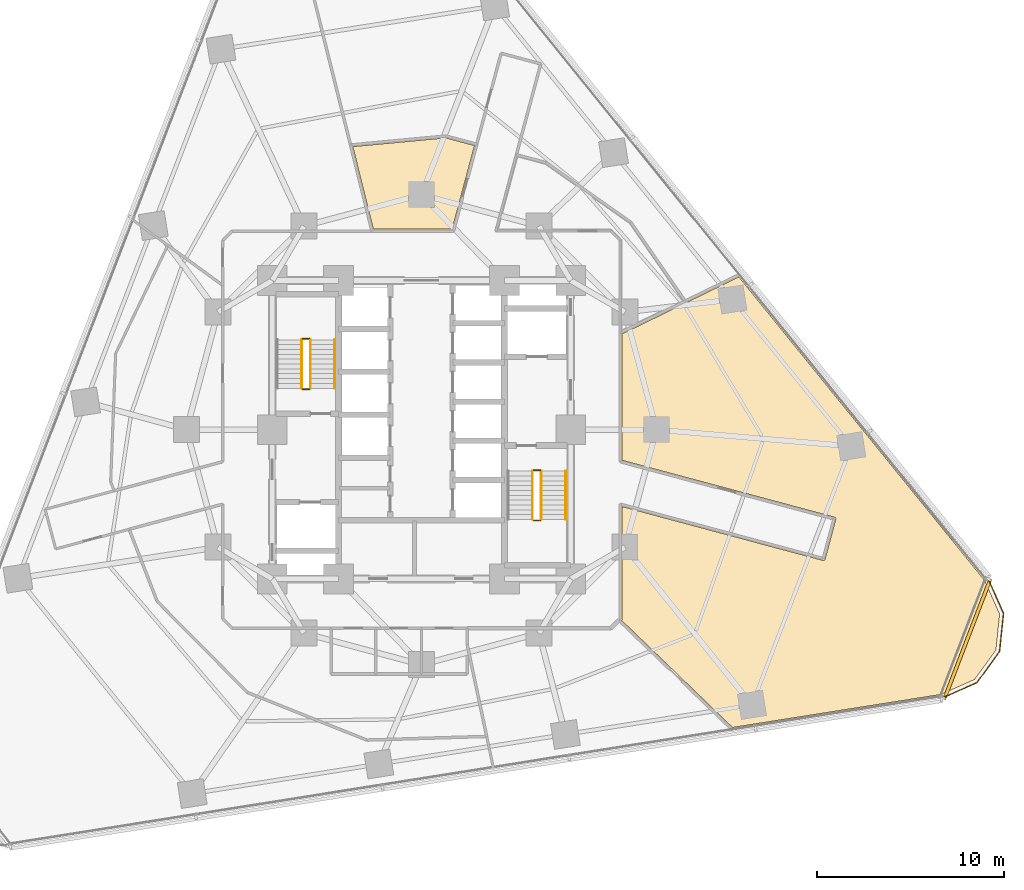
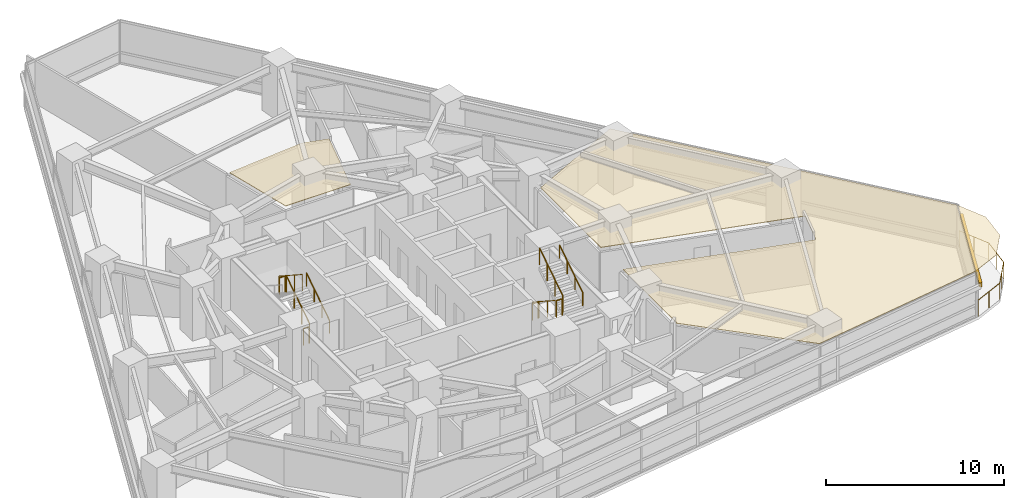
# One storey, part 13 of 14: 11 railings, 2 coverings, 1 shading device.
"""IFC4 building model written with IfcOpenShell, lengths in metres."""

from ifc_helpers import new_model, si_unit, direction, frame, origin, origin_2d, place, context, subcontext, project, spatial, polyline, rectangle, circle, outline, extrude, material, layer, layer_set, type_object, element, save


model = new_model("IFC4")

# Units and contexts
model_context = context("Model", 3, precision=1e-05, world=origin(), true_north=direction((0.0, 1.0)))
body_context = subcontext(model_context, "Body", "Model", "MODEL_VIEW")
ifc_project = project(units=[si_unit("LENGTHUNIT", "METRE"), si_unit("AREAUNIT", "SQUARE_METRE"), si_unit("VOLUMEUNIT", "CUBIC_METRE"), si_unit("PLANEANGLEUNIT", "RADIAN"), si_unit("MASSUNIT", "GRAM", prefix="KILO")], contexts=[model_context])

# Site, building, storey
site_placement = place(None, origin())
site = spatial("IfcSite", under=ifc_project, at=site_placement, CompositionType="ELEMENT")
building_placement = place(site_placement, origin())
building = spatial("IfcBuilding", under=site, at=building_placement, Name="Terralouvre Media Tower", CompositionType="ELEMENT")
storey_placement = place(building_placement, frame((0.0, 0.0, 66.699951171875)))
storey = spatial("IfcBuildingStorey", under=building, at=storey_placement, Name="L16", CompositionType="ELEMENT", Elevation=66.699951171875)

# Coverings
ifc_material_1 = material(Name="Perforated aluminium acoustic ceiling baffle", Category="aluminium")
ifc_layer_1 = layer(ifc_material_1, 0.0400390625, Name="Perforated Acoustic Metal Tile Ceiling CL-AC1")
ifc_layer_set_1 = layer_set([ifc_layer_1], Name="Perforated aluminium acoustic ceiling baffle")
covering_type = type_object("IfcCoveringType", Name="Perforated Acoustic Metal Tile Ceiling CL-AC1", PredefinedType="CEILING", material=ifc_layer_set_1)
covering_1_placement = place(storey_placement, frame((0.0, 0.0, 2.97998046875), z_axis=(0.0, 0.0, 1.0), x_axis=(0.987688340595, 0.15643446504, 0.0)))
element("IfcCovering", 1, at=covering_1_placement, inside=storey, type_object=covering_type, Name="L16 Podcast Host Green Lounge 1 Acoustic Ceiling", PredefinedType="CEILING", context=body_context, shape_type="SweptSolid", body=[
    extrude(outline(polyline([(13.974609375, -18.378662109375), (25.29052734375, -18.37890625), (27.196533203125, -17.8681640625), (28.56982421875, -16.494384765625), (29.072021484375, -14.617919921875), (28.561767578125, -12.71337890625), (18.0888671875, 5.42626953125), (15.073974609375, 4.50341796875), (11.42041015625, 3.38671875), (10.361328125, -3.2998046875), (21.134521484375, -8.09619140625), (21.143310546875, -8.1005859375), (21.151611328125, -8.10595703125), (21.159423828125, -8.112060546875), (21.16650390625, -8.118896484375), (21.1728515625, -8.126220703125), (21.178466796875, -8.13427734375), (21.183349609375, -8.142822265625), (21.187255859375, -8.15185546875), (21.1904296875, -8.1611328125), (21.1923828125, -8.170654296875), (21.193603515625, -8.180419921875), (21.19384765625, -8.190185546875), (21.193115234375, -8.199951171875), (21.19140625, -8.209716796875), (21.188720703125, -8.21923828125), (21.185302734375, -8.228271484375), (20.289794921875, -10.238037109375), (20.285400390625, -10.24658203125), (20.280029296875, -10.255126953125), (20.274169921875, -10.2626953125), (20.267333984375, -10.269775390625), (20.259765625, -10.2763671875), (20.251708984375, -10.281982421875), (20.2431640625, -10.28662109375), (20.234375, -10.29052734375), (20.22509765625, -10.293701171875), (20.21533203125, -10.2958984375), (20.20556640625, -10.297119140625), (20.19580078125, -10.297119140625), (20.18603515625, -10.29638671875), (20.176513671875, -10.294921875), (20.1669921875, -10.292236328125), (20.15771484375, -10.28857421875), (9.972900390625, -5.753173828125), (9.02978515625, -11.706787109375), (9.02783203125, -11.71630859375), (9.02490234375, -11.7255859375), (9.02099609375, -11.734619140625), (9.016357421875, -11.743408203125), (9.0107421875, -11.75146484375), (9.00439453125, -11.759033203125), (8.99755859375, -11.765869140625), (8.994140625, -11.7685546875), (13.974609375, -18.378662109375)])), origin(), (0.0, 0.0, 1.0), 0.0400390625),
])
covering_2_placement = place(storey_placement, frame((0.0, 0.0, 2.97998046875), z_axis=(0.0, 0.0, 1.0), x_axis=(0.987688340595, 0.15643446504, 0.0)))
element("IfcCovering", 2, at=covering_2_placement, inside=storey, type_object=covering_type, Name="L16 Editorial Collaborative Open Office 3 Acoustic Ceiling", PredefinedType="CEILING", context=body_context, shape_type="SweptSolid", body=[
    extrude(outline(polyline([(-1.261474609375, 15.565185546875), (-0.863525390625, 11.020751953125), (3.2998046875, 10.361328125), (5.188720703125, 14.603271484375), (3.73095703125, 15.248779296875), (-1.261474609375, 15.565185546875)])), origin(), (0.0, 0.0, 1.0), 0.0400390625),
])

# Railings
ifc_material_2 = material(Name="Stainless steel 316 handrail and balustrade", Category="steel")
ifc_layer_2 = layer(ifc_material_2, 0.06005859375, Name="Roof Edge Safety Guardrail GR-ROOF1")
ifc_layer_set_2 = layer_set([ifc_layer_2], Name="Stainless steel 316 handrail and balustrade")
railing_type_1 = type_object("IfcRailingType", Name="Roof Edge Safety Guardrail GR-ROOF1", PredefinedType="GUARDRAIL", material=ifc_layer_set_2)
railing_1_placement = place(storey_placement, frame((27.904296875, -14.401611328125, 0.0)))
element("IfcRailing", 3, at=railing_1_placement, inside=storey, type_object=railing_type_1, Name="L16 Wind-Corner Perimeter Safety Guardrail C1", PredefinedType="GUARDRAIL", context=body_context, shape_type="SweptSolid", body=[
    extrude(circle(Radius=0.02099609375, at=origin_2d()), frame((0.0, 0.0, 1.12890625), z_axis=(0.91366973946, 0.40645738669, 0.0), x_axis=(-0.40645738669, 0.91366973946, 0.0)), (0.0, 0.0, 1.0), 2.0595703125),
    extrude(circle(Radius=0.02099609375, at=origin_2d()), frame((1.8818359375, 0.837158203125, 1.12890625), z_axis=(0.587868563624, 0.808956458595, 0.0), x_axis=(-0.808956458595, 0.587868563624, 0.0)), (0.0, 0.0, 1.0), 2.0595703125),
    extrude(circle(Radius=0.02099609375, at=origin_2d()), frame((3.092529296875, 2.503173828125, 1.12890625), z_axis=(0.104456420886, 0.99452946469, 0.0), x_axis=(-0.99452946469, 0.104456420886, 0.0)), (0.0, 0.0, 1.0), 2.05908203125),
    extrude(circle(Radius=0.02099609375, at=origin_2d()), frame((3.3076171875, 4.551025390625, 1.12890625), z_axis=(-0.406996026336, 0.913429928646, 0.0), x_axis=(-0.913429928646, -0.406996026336, 0.0)), (0.0, 0.0, 1.0), 2.059814453125),
    extrude(circle(Radius=0.01904296875, at=origin_2d()), origin(), (0.0, 0.0, 1.0), 1.10791015625),
    extrude(circle(Radius=0.01904296875, at=origin_2d()), frame((0.94091796875, 0.41845703125, 0.0)), (0.0, 0.0, 1.0), 1.10791015625),
    extrude(circle(Radius=0.01904296875, at=origin_2d()), frame((1.8818359375, 0.837158203125, 0.0)), (0.0, 0.0, 1.0), 1.10791015625),
    extrude(circle(Radius=0.01904296875, at=origin_2d()), frame((2.4873046875, 1.670166015625, 0.0)), (0.0, 0.0, 1.0), 1.10791015625),
    extrude(circle(Radius=0.01904296875, at=origin_2d()), frame((3.092529296875, 2.503173828125, 0.0)), (0.0, 0.0, 1.0), 1.10791015625),
    extrude(circle(Radius=0.01904296875, at=origin_2d()), frame((3.2001953125, 3.527099609375, 0.0)), (0.0, 0.0, 1.0), 1.10791015625),
    extrude(circle(Radius=0.01904296875, at=origin_2d()), frame((3.3076171875, 4.551025390625, 0.0)), (0.0, 0.0, 1.0), 1.10791015625),
    extrude(circle(Radius=0.01904296875, at=origin_2d()), frame((2.888427734375, 5.49169921875, 0.0)), (0.0, 0.0, 1.0), 1.10791015625),
    extrude(circle(Radius=0.01904296875, at=origin_2d()), frame((2.46923828125, 6.4326171875, 0.0)), (0.0, 0.0, 1.0), 1.10791015625),
])
ifc_material_3 = material(Name="Stainless steel 316 handrail and balustrade", Category="steel")
ifc_layer_3 = layer(ifc_material_3, 0.050048828125, Name="Stair Flight Wall Handrail HR-INT1")
ifc_layer_set_3 = layer_set([ifc_layer_3], Name="Stainless steel 316 handrail and balustrade")
railing_type_2 = type_object("IfcRailingType", Name="Stair Flight Wall Handrail HR-INT1", PredefinedType="HANDRAIL", material=ifc_layer_set_3)
railing_2_placement = place(storey_placement, frame((-4.64990234375, 2.219970703125, 0.168212890625)))
element("IfcRailing", 4, at=railing_2_placement, inside=storey, type_object=railing_type_2, Name="L16 ST-01 stair handrail 1", PredefinedType="HANDRAIL", context=body_context, shape_type="SweptSolid", body=[
    extrude(circle(Radius=0.02392578125, at=origin_2d()), frame((0.0, 0.0, 0.8759765625), z_axis=(0.0, 0.839648411786, 0.543130320075), x_axis=(-1.0, 0.0, 0.0)), (0.0, 0.0, 1.0), 3.0966796875),
    extrude(circle(Radius=0.02099609375, at=origin_2d()), origin(), (0.0, 0.0, 1.0), 0.851806640625),
    extrude(circle(Radius=0.02099609375, at=origin_2d()), frame((0.0, 0.86669921875, 0.560546875)), (0.0, 0.0, 1.0), 0.851806640625),
    extrude(circle(Radius=0.02099609375, at=origin_2d()), frame((0.0, 1.7333984375, 1.121337890625)), (0.0, 0.0, 1.0), 0.851806640625),
    extrude(circle(Radius=0.02099609375, at=origin_2d()), frame((0.0, 2.60009765625, 1.681884765625)), (0.0, 0.0, 1.0), 0.851806640625),
])
railing_3_placement = place(storey_placement, frame((7.72998046875, -4.820068359375, 2.018310546875)))
element("IfcRailing", 5, at=railing_3_placement, inside=storey, type_object=railing_type_2, Name="L16 ST-02 stair handrail 2", PredefinedType="HANDRAIL", context=body_context, shape_type="SweptSolid", body=[
    extrude(circle(Radius=0.02392578125, at=origin_2d()), frame((0.0, 0.0, 0.8759765625), z_axis=(0.0, 0.839684365666, 0.543074733399), x_axis=(-1.0, 0.0, 0.0)), (0.0, 0.0, 1.0), 3.096435546875),
    extrude(circle(Radius=0.02099609375, at=origin_2d()), origin(), (0.0, 0.0, 1.0), 0.851806640625),
    extrude(circle(Radius=0.02099609375, at=origin_2d()), frame((0.0, 0.86669921875, 0.560546875)), (0.0, 0.0, 1.0), 0.851806640625),
    extrude(circle(Radius=0.02099609375, at=origin_2d()), frame((0.0, 1.7333984375, 1.12109375)), (0.0, 0.0, 1.0), 0.851806640625),
    extrude(circle(Radius=0.02099609375, at=origin_2d()), frame((0.0, 2.60009765625, 1.681640625)), (0.0, 0.0, 1.0), 0.851806640625),
])
ifc_material_4 = material(Name="Stainless steel 316 handrail and balustrade", Category="steel")
ifc_layer_4 = layer(ifc_material_4, 0.050048828125, Name="Stairwell Safety Guardrail GR-INT1")
ifc_layer_set_4 = layer_set([ifc_layer_4], Name="Stainless steel 316 handrail and balustrade")
railing_type_3 = type_object("IfcRailingType", Name="Stairwell Safety Guardrail GR-INT1", PredefinedType="GUARDRAIL", material=ifc_layer_set_4)
railing_4_placement = place(storey_placement, frame((-5.949951171875, 2.219970703125, 0.168212890625)))
element("IfcRailing", 6, at=railing_4_placement, inside=storey, type_object=railing_type_3, Name="L16 ST-01 stair guard 1", PredefinedType="GUARDRAIL", context=body_context, shape_type="SweptSolid", body=[
    extrude(circle(Radius=0.02392578125, at=origin_2d()), frame((0.0, 0.0, 1.1259765625), z_axis=(0.0, 0.839648411786, 0.543130320075), x_axis=(-1.0, 0.0, 0.0)), (0.0, 0.0, 1.0), 3.0966796875),
    extrude(circle(Radius=0.02099609375, at=origin_2d()), origin(), (0.0, 0.0, 1.0), 1.101806640625),
    extrude(circle(Radius=0.02099609375, at=origin_2d()), frame((0.0, 0.86669921875, 0.560546875)), (0.0, 0.0, 1.0), 1.101806640625),
    extrude(circle(Radius=0.02099609375, at=origin_2d()), frame((0.0, 1.7333984375, 1.121337890625)), (0.0, 0.0, 1.0), 1.101806640625),
    extrude(circle(Radius=0.02099609375, at=origin_2d()), frame((0.0, 2.60009765625, 1.681884765625)), (0.0, 0.0, 1.0), 1.101806640625),
])
railing_5_placement = place(storey_placement, frame((-6.0, 4.8701171875, 1.85009765625)))
element("IfcRailing", 7, at=railing_5_placement, inside=storey, type_object=railing_type_3, Name="L16 ST-01 stair guard 2", PredefinedType="GUARDRAIL", context=body_context, shape_type="SweptSolid", body=[
    extrude(circle(Radius=0.02392578125, at=origin_2d()), frame((0.0, 0.0, 1.1259765625), z_axis=(-1.0, 0.0, 0.0), x_axis=(0.0, -1.0, 0.0)), (0.0, 0.0, 1.0), 0.3798828125),
    extrude(circle(Radius=0.02099609375, at=origin_2d()), origin(), (0.0, 0.0, 1.0), 1.101806640625),
    extrude(circle(Radius=0.02099609375, at=origin_2d()), frame((-0.3798828125, 0.0, 0.0)), (0.0, 0.0, 1.0), 1.101806640625),
])
railing_6_placement = place(storey_placement, frame((-6.429931640625, 4.820068359375, 2.018310546875)))
element("IfcRailing", 8, at=railing_6_placement, inside=storey, type_object=railing_type_3, Name="L16 ST-01 stair guard 3", PredefinedType="GUARDRAIL", context=body_context, shape_type="SweptSolid", body=[
    extrude(circle(Radius=0.02392578125, at=origin_2d()), frame((0.0, 0.0, 1.1259765625), z_axis=(0.0, -0.839684365666, 0.543074733399), x_axis=(1.0, 0.0, 0.0)), (0.0, 0.0, 1.0), 3.096435546875),
    extrude(circle(Radius=0.02099609375, at=origin_2d()), origin(), (0.0, 0.0, 1.0), 1.101806640625),
    extrude(circle(Radius=0.02099609375, at=origin_2d()), frame((0.0, -0.86669921875, 0.560546875)), (0.0, 0.0, 1.0), 1.101806640625),
    extrude(circle(Radius=0.02099609375, at=origin_2d()), frame((0.0, -1.7333984375, 1.12109375)), (0.0, 0.0, 1.0), 1.101806640625),
    extrude(circle(Radius=0.02099609375, at=origin_2d()), frame((0.0, -2.60009765625, 1.681640625)), (0.0, 0.0, 1.0), 1.101806640625),
])
railing_7_placement = place(storey_placement, frame((-6.0, 2.169921875, 0.0)))
element("IfcRailing", 9, at=railing_7_placement, inside=storey, type_object=railing_type_3, Name="L16 ST-01 stair guard 4", PredefinedType="GUARDRAIL", context=body_context, shape_type="SweptSolid", body=[
    extrude(circle(Radius=0.02392578125, at=origin_2d()), frame((0.0, 0.0, 1.1259765625), z_axis=(-1.0, 0.0, 0.0), x_axis=(0.0, -1.0, 0.0)), (0.0, 0.0, 1.0), 0.3798828125),
    extrude(circle(Radius=0.02099609375, at=origin_2d()), origin(), (0.0, 0.0, 1.0), 1.101806640625),
    extrude(circle(Radius=0.02099609375, at=origin_2d()), frame((-0.3798828125, 0.0, 0.0)), (0.0, 0.0, 1.0), 1.101806640625),
])
railing_8_placement = place(storey_placement, frame((5.949951171875, -2.219970703125, 0.168212890625)))
element("IfcRailing", 10, at=railing_8_placement, inside=storey, type_object=railing_type_3, Name="L16 ST-02 stair guard 1", PredefinedType="GUARDRAIL", context=body_context, shape_type="SweptSolid", body=[
    extrude(circle(Radius=0.02392578125, at=origin_2d()), frame((0.0, 0.0, 1.1259765625), z_axis=(0.0, -0.839648411786, 0.543130320075), x_axis=(1.0, 0.0, 0.0)), (0.0, 0.0, 1.0), 3.0966796875),
    extrude(circle(Radius=0.02099609375, at=origin_2d()), origin(), (0.0, 0.0, 1.0), 1.101806640625),
    extrude(circle(Radius=0.02099609375, at=origin_2d()), frame((0.0, -0.86669921875, 0.560546875)), (0.0, 0.0, 1.0), 1.101806640625),
    extrude(circle(Radius=0.02099609375, at=origin_2d()), frame((0.0, -1.7333984375, 1.121337890625)), (0.0, 0.0, 1.0), 1.101806640625),
    extrude(circle(Radius=0.02099609375, at=origin_2d()), frame((0.0, -2.60009765625, 1.681884765625)), (0.0, 0.0, 1.0), 1.101806640625),
])
railing_9_placement = place(storey_placement, frame((6.0, -4.8701171875, 1.85009765625)))
element("IfcRailing", 11, at=railing_9_placement, inside=storey, type_object=railing_type_3, Name="L16 ST-02 stair guard 2", PredefinedType="GUARDRAIL", context=body_context, shape_type="SweptSolid", body=[
    extrude(circle(Radius=0.02392578125, at=origin_2d()), frame((0.0, 0.0, 1.1259765625), z_axis=(1.0, 0.0, 0.0), x_axis=(0.0, 1.0, 0.0)), (0.0, 0.0, 1.0), 0.3798828125),
    extrude(circle(Radius=0.02099609375, at=origin_2d()), origin(), (0.0, 0.0, 1.0), 1.101806640625),
    extrude(circle(Radius=0.02099609375, at=origin_2d()), frame((0.3798828125, 0.0, 0.0)), (0.0, 0.0, 1.0), 1.101806640625),
])
railing_10_placement = place(storey_placement, frame((6.429931640625, -4.820068359375, 2.018310546875)))
element("IfcRailing", 12, at=railing_10_placement, inside=storey, type_object=railing_type_3, Name="L16 ST-02 stair guard 3", PredefinedType="GUARDRAIL", context=body_context, shape_type="SweptSolid", body=[
    extrude(circle(Radius=0.02392578125, at=origin_2d()), frame((0.0, 0.0, 1.1259765625), z_axis=(0.0, 0.839684365666, 0.543074733399), x_axis=(-1.0, 0.0, 0.0)), (0.0, 0.0, 1.0), 3.096435546875),
    extrude(circle(Radius=0.02099609375, at=origin_2d()), origin(), (0.0, 0.0, 1.0), 1.101806640625),
    extrude(circle(Radius=0.02099609375, at=origin_2d()), frame((0.0, 0.86669921875, 0.560546875)), (0.0, 0.0, 1.0), 1.101806640625),
    extrude(circle(Radius=0.02099609375, at=origin_2d()), frame((0.0, 1.7333984375, 1.12109375)), (0.0, 0.0, 1.0), 1.101806640625),
    extrude(circle(Radius=0.02099609375, at=origin_2d()), frame((0.0, 2.60009765625, 1.681640625)), (0.0, 0.0, 1.0), 1.101806640625),
])
railing_11_placement = place(storey_placement, frame((6.0, -2.169921875, 0.0)))
element("IfcRailing", 13, at=railing_11_placement, inside=storey, type_object=railing_type_3, Name="L16 ST-02 stair guard 4", PredefinedType="GUARDRAIL", context=body_context, shape_type="SweptSolid", body=[
    extrude(circle(Radius=0.02392578125, at=origin_2d()), frame((0.0, 0.0, 1.1259765625), z_axis=(1.0, 0.0, 0.0), x_axis=(0.0, 1.0, 0.0)), (0.0, 0.0, 1.0), 0.3798828125),
    extrude(circle(Radius=0.02099609375, at=origin_2d()), origin(), (0.0, 0.0, 1.0), 1.101806640625),
    extrude(circle(Radius=0.02099609375, at=origin_2d()), frame((0.3798828125, 0.0, 0.0)), (0.0, 0.0, 1.0), 1.101806640625),
])

# Shading device
ifc_material_5 = material(Name="Extruded terracotta baguette sunshade louvres", Category="masonry")
shading_device_type = type_object("IfcShadingDeviceType", Name="Terracotta Baguette Sunshade Louvre Screen TB-LV1", PredefinedType="USERDEFINED", material=ifc_material_5)
shading_device_placement = place(storey_placement, frame((29.264892578125, -11.23388671875, 2.02392578125), z_axis=(0.0, 0.0, 1.0), x_axis=(0.358367472863, 0.933580609478, 0.0)))
element("IfcShadingDevice", 14, at=shading_device_placement, inside=storey, type_object=shading_device_type, Name="CW-L16-C1 Terracotta Baguette Sunshade Louvre", ObjectType="BAGUETTE", PredefinedType="USERDEFINED", context=body_context, shape_type="SweptSolid", body=[
    extrude(rectangle(XDim=6.8935546875, YDim=0.179931640625, at=origin_2d()), origin(), (0.0, 0.0, 1.0), 0.280029296875),
])

save(model, "model.ifc")
